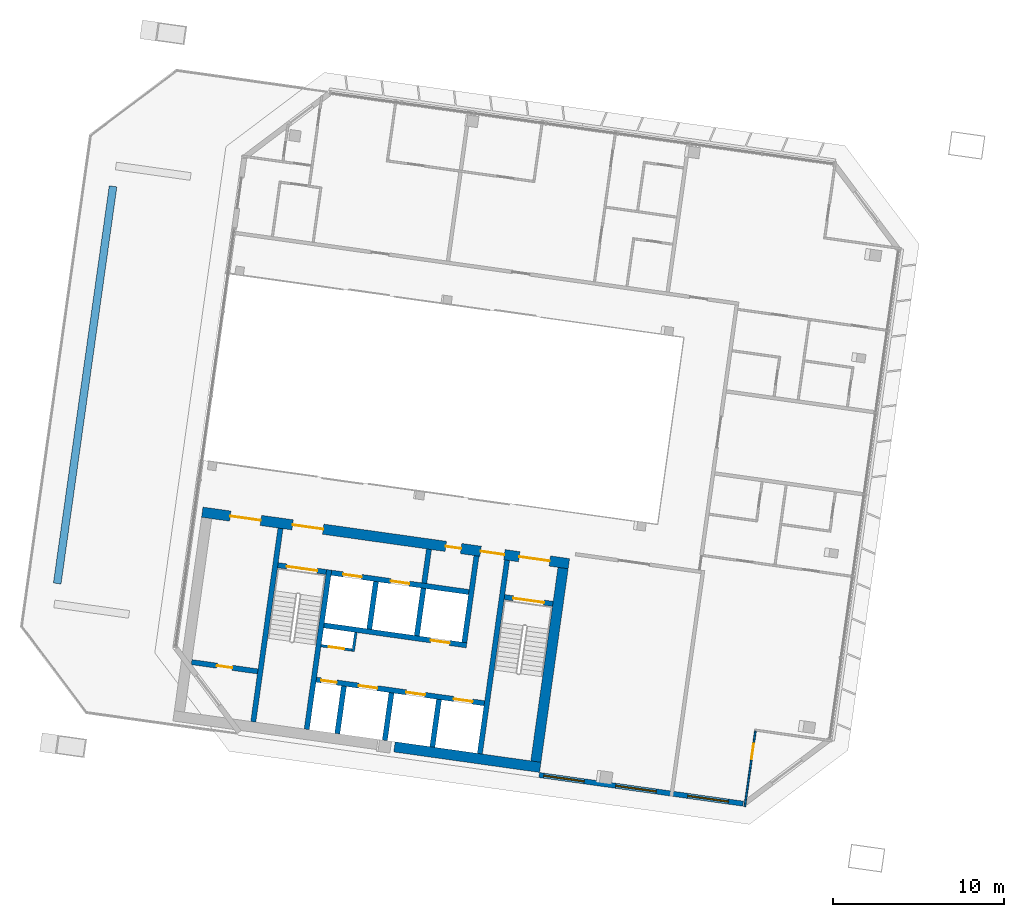
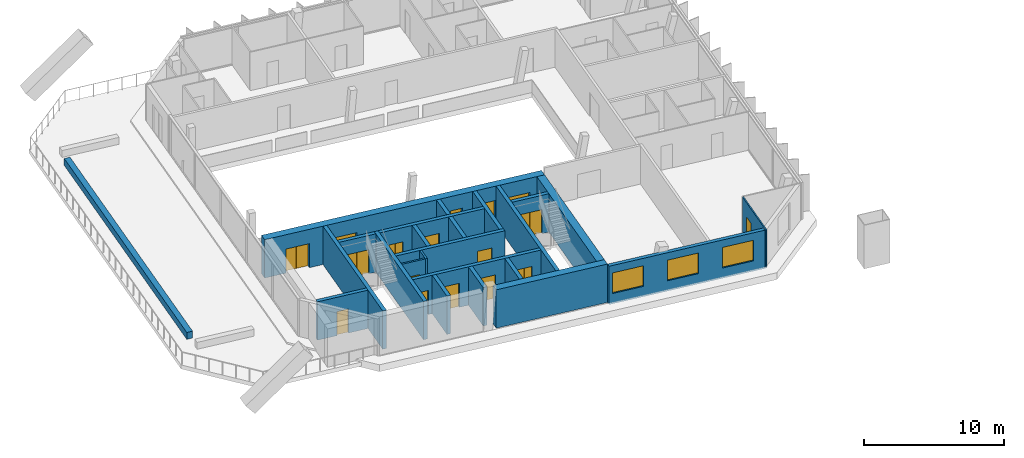
# One storey, part 9 of 17: 24 walls, 17 doors, 3 windows, 20 openings.
"""IFC4 building model written with IfcOpenShell, lengths in metres."""

from ifc_helpers import new_model, si_unit, direction, frame, frame_2d, origin, place, context, subcontext, project, spatial, rectangle, extrude, material, layer, layer_set, type_object, element, fill, save


model = new_model("IFC4")

# Units and contexts
model_context = context("Model", 3, precision=1e-05, world=origin(), true_north=direction((0.0, 1.0)))
body_context = subcontext(model_context, "Body", "Model", "MODEL_VIEW")
ifc_project = project(units=[si_unit("LENGTHUNIT", "METRE"), si_unit("AREAUNIT", "SQUARE_METRE"), si_unit("VOLUMEUNIT", "CUBIC_METRE"), si_unit("PLANEANGLEUNIT", "RADIAN"), si_unit("MASSUNIT", "GRAM", prefix="KILO")], contexts=[model_context])

# Site, building, storey
site_placement = place(None, origin())
site = spatial("IfcSite", under=ifc_project, at=site_placement, CompositionType="ELEMENT")
building_placement = place(site_placement, origin())
building = spatial("IfcBuilding", under=site, at=building_placement, Name="Mirante Cascada Hotel Towers", CompositionType="ELEMENT")
storey_placement = place(building_placement, frame((0.0, 0.0, 250.8)))
storey = spatial("IfcBuildingStorey", under=building, at=storey_placement, Name="L60", CompositionType="ELEMENT", Elevation=250.8)

# Wall
ifc_material_1 = material(Name="Masonry block", Category="masonry")
ifc_layer_1 = layer(ifc_material_1, 0.15)
ifc_layer_set_1 = layer_set([ifc_layer_1], Name="Core room partition 150 block EI 30")
wall_type_1 = type_object("IfcWallType", Name="Core room partition 150 block EI 30", PredefinedType="PARTITIONING", material=ifc_layer_set_1)
wall_1_placement = place(storey_placement, frame((-48.2295, -12.793, 0.0), z_axis=(0.0, 0.0, 1.0), x_axis=(0.1391935, 0.9902652, 0.0)))
element("IfcWall", 1, at=wall_1_placement, inside=storey, type_object=wall_type_1, Name="Core wall partition T1 L60 2", PredefinedType="PARTITIONING", context=body_context, shape_type="SweptSolid", body=[
    extrude(rectangle(XDim=1.1251, YDim=0.15, at=frame_2d((0.5626, 0.0))), origin(), (0.0, 0.0, 1.0), 3.35),
])

# Wall, opening, door
wall_2_placement = place(storey_placement, frame((-48.2933, -12.7083, 0.0), z_axis=(0.0, 0.0, 1.0), x_axis=(-0.990268, 0.1391734, 0.0)))
wall_2 = element("IfcWall", 2, at=wall_2_placement, inside=storey, type_object=wall_type_1, Name="Core wall partition T1 L60 3", PredefinedType="PARTITIONING", context=body_context, shape_type="SweptSolid", body=[
    extrude(rectangle(XDim=1.8251, YDim=0.15, at=frame_2d((0.9126, 0.0))), origin(), (0.0, 0.0, 1.0), 3.35),
])
opening_1_placement = place(wall_2_placement, frame((0.4625, 0.0, 0.0)))
opening_1 = element("IfcOpeningElement", 3, at=opening_1_placement, cuts=wall_2, Name="Opening D1-60-C14", PredefinedType="OPENING", context=body_context, shape_type="SweptSolid", body=[
    extrude(rectangle(XDim=0.9, YDim=2.1, at=frame_2d((0.45, 1.05))), frame((0.0, 0.075, 0.0), z_axis=(0.0, -1.0, 0.0), x_axis=(1.0, 0.0, 0.0)), (0.0, 0.0, 1.0), 0.15),
])
ifc_material_2 = material(Name="Hollow metal fire door leaf")
door_type_1 = type_object("IfcDoorType", Name="Fire door 900x2100 FD60", OperationType="NOTDEFINED", PredefinedType="DOOR", material=ifc_material_2)
door_1_placement = place(opening_1_placement, origin())
door_1 = element("IfcDoor", 4, at=door_1_placement, inside=storey, type_object=door_type_1, Name="Riser door T1 L60 14", OperationType="SINGLE_SWING_RIGHT", OverallHeight=2.1, OverallWidth=0.9, PredefinedType="DOOR", context=body_context, shape_type="SweptSolid", body=[
    extrude(rectangle(XDim=0.9, YDim=2.1, at=frame_2d((0.45, 1.05))), frame((0.0, 0.025, 0.0), z_axis=(0.0, -1.0, 0.0), x_axis=(1.0, 0.0, 0.0)), (0.0, 0.0, 1.0), 0.05),
])
fill(opening_1, door_1)

# Wall
ifc_material_3 = material(Name="Masonry block", Category="masonry")
ifc_layer_2 = layer(ifc_material_3, 0.3)
ifc_layer_set_2 = layer_set([ifc_layer_2], Name="Core wall 300 block EI 120")
wall_type_2 = type_object("IfcWallType", Name="Core wall 300 block EI 120", PredefinedType="PARTITIONING", material=ifc_layer_set_2)
wall_3_placement = place(storey_placement, frame((-44.0843, -8.8061, 0.0), z_axis=(0.0, 0.0, 1.0), x_axis=(0.1391951, 0.990265, 0.0)))
element("IfcWall", 5, at=wall_3_placement, inside=storey, type_object=wall_type_2, Name="Core wall partition T1 L60 1", PredefinedType="PARTITIONING", context=body_context, shape_type="SweptSolid", body=[
    extrude(rectangle(XDim=2.0001, YDim=0.3, at=frame_2d((1.0001, 0.0))), origin(), (0.0, 0.0, 1.0), 3.35),
])

# Wall, opening, door
wall_4_placement = place(storey_placement, frame((-53.7953, -13.9547, 0.0), z_axis=(0.0, 0.0, 1.0), x_axis=(-0.9902675, 0.1391774, 0.0)))
wall_4 = element("IfcWall", 6, at=wall_4_placement, inside=storey, type_object=wall_type_2, Name="Core wall partition T1 L60 4", PredefinedType="PARTITIONING", context=body_context, shape_type="SweptSolid", body=[
    extrude(rectangle(XDim=3.9001, YDim=0.3, at=frame_2d((1.95, 0.0))), origin(), (0.0, 0.0, 1.0), 3.35),
])
opening_2_placement = place(wall_4_placement, frame((1.5, 0.0, 0.0)))
opening_2 = element("IfcOpeningElement", 7, at=opening_2_placement, cuts=wall_4, Name="Opening D1-60-C16", PredefinedType="OPENING", context=body_context, shape_type="SweptSolid", body=[
    extrude(rectangle(XDim=0.9, YDim=2.1, at=frame_2d((0.45, 1.05))), frame((0.0, 0.15, 0.0), z_axis=(0.0, -1.0, 0.0), x_axis=(1.0, 0.0, 0.0)), (0.0, 0.0, 1.0), 0.3),
])
door_2_placement = place(opening_2_placement, origin())
door_2 = element("IfcDoor", 8, at=door_2_placement, inside=storey, type_object=door_type_1, Name="Room door T1 L60 16", OperationType="SINGLE_SWING_RIGHT", OverallHeight=2.1, OverallWidth=0.9, PredefinedType="DOOR", context=body_context, shape_type="SweptSolid", body=[
    extrude(rectangle(XDim=0.9, YDim=2.1, at=frame_2d((0.45, 1.05))), frame((0.0, 0.025, 0.0), z_axis=(0.0, -1.0, 0.0), x_axis=(1.0, 0.0, 0.0)), (0.0, 0.0, 1.0), 0.05),
])
fill(opening_2, door_2)

ifc_material_4 = material(Name="Plasterboard on metal studs")
ifc_layer_3 = layer(ifc_material_4, 0.1)
ifc_layer_set_3 = layer_set([ifc_layer_3], Name="Partition 100")
wall_type_3 = type_object("IfcWallType", Name="Partition 100", PredefinedType="PARTITIONING", material=ifc_layer_set_3)
wall_5_placement = place(storey_placement, frame((-25.3798, -21.8361, 0.0), z_axis=(0.0, 0.0, 1.0), x_axis=(0.1391684, 0.9902687, 0.0)))
wall_5 = element("IfcWall", 9, at=wall_5_placement, inside=storey, type_object=wall_type_3, Name="Wall 1-L60-21", PredefinedType="PARTITIONING", context=body_context, shape_type="SweptSolid", body=[
    extrude(rectangle(XDim=4.45, YDim=0.1, at=frame_2d((2.225, 0.0))), origin(), (0.0, 0.0, 1.0), 3.35),
])
opening_3_placement = place(wall_5_placement, frame((2.8, 0.0, 0.0)))
opening_3 = element("IfcOpeningElement", 10, at=opening_3_placement, cuts=wall_5, Name="Opening D1-L60-17", PredefinedType="OPENING", context=body_context, shape_type="SweptSolid", body=[
    extrude(rectangle(XDim=0.9, YDim=2.1, at=frame_2d((0.45, 1.05))), frame((0.0, 0.05, 0.0), z_axis=(0.0, -1.0, 0.0), x_axis=(1.0, 0.0, 0.0)), (0.0, 0.0, 1.0), 0.1),
])
ifc_material_5 = material(Name="Timber door leaf", Category="wood")
door_type_2 = type_object("IfcDoorType", Name="Room door DG3 900x2100", OperationType="SINGLE_SWING_LEFT", PredefinedType="DOOR", material=ifc_material_5)
door_3_placement = place(opening_3_placement, frame((0.9, 0.0, 0.0), z_axis=(0.0, 0.0, 1.0), x_axis=(-1.0, 0.0, 0.0)))
door_3 = element("IfcDoor", 11, at=door_3_placement, inside=storey, type_object=door_type_2, Name="Door D1-L60-17", OperationType="SINGLE_SWING_RIGHT", OverallHeight=2.1, OverallWidth=0.9, PredefinedType="DOOR", context=body_context, shape_type="SweptSolid", body=[
    extrude(rectangle(XDim=0.9, YDim=2.1, at=frame_2d((0.45, 1.05))), frame((0.0, 0.025, 0.0), z_axis=(0.0, -1.0, 0.0), x_axis=(1.0, 0.0, 0.0)), (0.0, 0.0, 1.0), 0.05),
])
fill(opening_3, door_3)

# Wall
ifc_material_6 = material(Name="Precast concrete C40/50", Category="concrete")
ifc_layer_4 = layer(ifc_material_6, 0.45)
ifc_layer_set_4 = layer_set([ifc_layer_4], Name="Planter wall 450 concrete C40/50")
wall_type_4 = type_object("IfcWallType", Name="Planter wall 450 concrete C40/50", PredefinedType="PARAPET", material=ifc_layer_set_4)
wall_6_placement = place(storey_placement, frame((-65.4955, -8.8264, 0.0), z_axis=(0.0, 0.0, 1.0), x_axis=(0.139175, 0.9902678, 0.0)))
element("IfcWall", 12, at=wall_6_placement, inside=storey, type_object=wall_type_4, Name="PLANTER T1 L60 bed 3", PredefinedType="PARAPET", context=body_context, shape_type="SweptSolid", body=[
    extrude(rectangle(XDim=23.4, YDim=0.45, at=frame_2d((11.7, 0.0))), origin(), (0.0, 0.0, 1.0), 0.6),
])

# Wall, openings, windows
ifc_material_7 = material(Name="Precast concrete C40/50", Category="concrete")
ifc_layer_5 = layer(ifc_material_7, 0.3)
ifc_layer_set_5 = layer_set([ifc_layer_5], Name="Precast concrete C40/50 cladding wall 300")
wall_type_5 = type_object("IfcWallType", Name="Precast concrete C40/50 cladding wall 300", PredefinedType="STANDARD", material=ifc_layer_set_5)
wall_7_placement = place(storey_placement, frame((-25.4818, -21.6702, 0.0), z_axis=(0.0, 0.0, 1.0), x_axis=(-0.9902683, 0.1391715, 0.0)))
wall_7 = element("IfcWall", 13, at=wall_7_placement, inside=storey, type_object=wall_type_5, Name="Rear cladding wall T1 L60 1", PredefinedType="STANDARD", context=body_context, shape_type="SweptSolid", body=[
    extrude(rectangle(XDim=12.0118, YDim=0.3, at=frame_2d((6.0059, 0.0))), origin(), (0.0, 0.0, 1.0), 3.35),
])
opening_4_placement = place(wall_7_placement, frame((0.8603, 0.0, 0.9)))
opening_4 = element("IfcOpeningElement", 14, at=opening_4_placement, cuts=wall_7, Name="Opening W1-60-01", PredefinedType="OPENING", context=body_context, shape_type="SweptSolid", body=[
    extrude(rectangle(XDim=2.4, YDim=1.8, at=frame_2d((1.2, 0.9))), frame((0.0, 0.15, 0.0), z_axis=(0.0, -1.0, 0.0), x_axis=(1.0, 0.0, 0.0)), (0.0, 0.0, 1.0), 0.3),
])
opening_5_placement = place(wall_7_placement, frame((5.1048, 0.0, 0.9)))
opening_5 = element("IfcOpeningElement", 15, at=opening_5_placement, cuts=wall_7, Name="Opening W1-60-02", PredefinedType="OPENING", context=body_context, shape_type="SweptSolid", body=[
    extrude(rectangle(XDim=2.4, YDim=1.8, at=frame_2d((1.2, 0.9))), frame((0.0, 0.15, 0.0), z_axis=(0.0, -1.0, 0.0), x_axis=(1.0, 0.0, 0.0)), (0.0, 0.0, 1.0), 0.3),
])
opening_6_placement = place(wall_7_placement, frame((9.3493, 0.0, 0.9)))
opening_6 = element("IfcOpeningElement", 16, at=opening_6_placement, cuts=wall_7, Name="Opening W1-60-03", PredefinedType="OPENING", context=body_context, shape_type="SweptSolid", body=[
    extrude(rectangle(XDim=2.4, YDim=1.8, at=frame_2d((1.2, 0.9))), frame((0.0, 0.15, 0.0), z_axis=(0.0, -1.0, 0.0), x_axis=(1.0, 0.0, 0.0)), (0.0, 0.0, 1.0), 0.3),
])
ifc_material_8 = material(Name="Aluminium frame with clear double glazing", Category="aluminium")
window_type = type_object("IfcWindowType", Name="Punched window 2400x1800", PartitioningType="DOUBLE_PANEL_VERTICAL", PredefinedType="WINDOW", material=ifc_material_8)
window_1_placement = place(opening_4_placement, origin())
window_1 = element("IfcWindow", 17, at=window_1_placement, inside=storey, type_object=window_type, Name="Window W1-60-01", OverallHeight=1.8, OverallWidth=2.4, PartitioningType="SINGLE_PANEL", PredefinedType="WINDOW", context=body_context, shape_type="SweptSolid", body=[
    extrude(rectangle(XDim=2.4, YDim=1.8, at=frame_2d((1.2, 0.9))), frame((0.0, 0.03, 0.0), z_axis=(0.0, -1.0, 0.0), x_axis=(1.0, 0.0, 0.0)), (0.0, 0.0, 1.0), 0.06),
])
fill(opening_4, window_1)
window_2_placement = place(opening_5_placement, origin())
window_2 = element("IfcWindow", 18, at=window_2_placement, inside=storey, type_object=window_type, Name="Window W1-60-02", OverallHeight=1.8, OverallWidth=2.4, PartitioningType="SINGLE_PANEL", PredefinedType="WINDOW", context=body_context, shape_type="SweptSolid", body=[
    extrude(rectangle(XDim=2.4, YDim=1.8, at=frame_2d((1.2, 0.9))), frame((0.0, 0.03, 0.0), z_axis=(0.0, -1.0, 0.0), x_axis=(1.0, 0.0, 0.0)), (0.0, 0.0, 1.0), 0.06),
])
fill(opening_5, window_2)
window_3_placement = place(opening_6_placement, origin())
window_3 = element("IfcWindow", 19, at=window_3_placement, inside=storey, type_object=window_type, Name="Window W1-60-03", OverallHeight=1.8, OverallWidth=2.4, PartitioningType="SINGLE_PANEL", PredefinedType="WINDOW", context=body_context, shape_type="SweptSolid", body=[
    extrude(rectangle(XDim=2.4, YDim=1.8, at=frame_2d((1.2, 0.9))), frame((0.0, 0.03, 0.0), z_axis=(0.0, -1.0, 0.0), x_axis=(1.0, 0.0, 0.0)), (0.0, 0.0, 1.0), 0.06),
])
fill(opening_6, window_3)

# Walls
ifc_material_9 = material(Name="Concrete C50/60", Category="concrete")
ifc_layer_6 = layer(ifc_material_9, 0.3)
ifc_layer_set_6 = layer_set([ifc_layer_6], Name="RC core wall 300 C50/60")
wall_type_6 = type_object("IfcWallType", Name="RC core wall 300 C50/60", PredefinedType="SHEAR", material=ifc_layer_set_6)
wall_8_placement = place(storey_placement, frame((-40.8373, -18.7548, 0.0), z_axis=(0.0, 0.0, 1.0), x_axis=(0.1391749, 0.9902678, 0.0)))
element("IfcWall", 20, at=wall_8_placement, inside=storey, type_object=wall_type_6, Name="Core wall T1:L60:5", PredefinedType="SHEAR", context=body_context, shape_type="SweptSolid", body=[
    extrude(rectangle(XDim=11.4, YDim=0.3, at=frame_2d((5.7, 0.0))), origin(), (0.0, 0.0, 1.0), 3.35),
])
wall_9_placement = place(storey_placement, frame((-50.938, -17.3352, 0.0), z_axis=(0.0, 0.0, 1.0), x_axis=(0.1391706, 0.9902684, 0.0)))
element("IfcWall", 21, at=wall_9_placement, inside=storey, type_object=wall_type_6, Name="Core wall T1:L60:6", PredefinedType="SHEAR", context=body_context, shape_type="SweptSolid", body=[
    extrude(rectangle(XDim=9.4, YDim=0.3, at=frame_2d((4.7, 0.0))), origin(), (0.0, 0.0, 1.0), 3.35),
])
wall_10_placement = place(storey_placement, frame((-54.0574, -16.8968, 0.0), z_axis=(0.0, 0.0, 1.0), x_axis=(0.1391761, 0.9902677, 0.0)))
element("IfcWall", 22, at=wall_10_placement, inside=storey, type_object=wall_type_6, Name="Core wall T1:L60:7", PredefinedType="SHEAR", context=body_context, shape_type="SweptSolid", body=[
    extrude(rectangle(XDim=11.3999, YDim=0.3, at=frame_2d((5.7, 0.0))), origin(), (0.0, 0.0, 1.0), 3.35),
])

# Wall, opening, door
wall_11_placement = place(storey_placement, frame((-36.5791, -10.0123, 0.0), z_axis=(0.0, 0.0, 1.0), x_axis=(-0.9902704, 0.1391564, 0.0)))
wall_11 = element("IfcWall", 23, at=wall_11_placement, inside=storey, type_object=wall_type_6, Name="Core wall T1:L60:8", PredefinedType="SHEAR", context=body_context, shape_type="SweptSolid", body=[
    extrude(rectangle(XDim=2.85, YDim=0.3, at=frame_2d((1.425, 0.0))), origin(), (0.0, 0.0, 1.0), 3.35),
])
opening_7_placement = place(wall_11_placement, frame((0.525, 0.0, 0.0)))
opening_7 = element("IfcOpeningElement", 24, at=opening_7_placement, cuts=wall_11, Name="Opening D1-60-C07", PredefinedType="OPENING", context=body_context, shape_type="SweptSolid", body=[
    extrude(rectangle(XDim=1.8, YDim=2.1, at=frame_2d((0.9, 1.05))), frame((0.0, 0.15, 0.0), z_axis=(0.0, -1.0, 0.0), x_axis=(1.0, 0.0, 0.0)), (0.0, 0.0, 1.0), 0.3),
])
ifc_material_10 = material(Name="Hollow metal fire door leaf")
door_type_3 = type_object("IfcDoorType", Name="Double fire door 1800x2100 FD60", OperationType="DOUBLE_DOOR_SINGLE_SWING", PredefinedType="DOOR", material=ifc_material_10)
door_4_placement = place(opening_7_placement, origin())
door_4 = element("IfcDoor", 25, at=door_4_placement, inside=storey, type_object=door_type_3, Name="Stair door T1 L60 7", OperationType="DOUBLE_DOOR_SINGLE_SWING", OverallHeight=2.1, OverallWidth=1.8, PredefinedType="DOOR", context=body_context, shape_type="SweptSolid", body=[
    extrude(rectangle(XDim=0.895, YDim=2.1, at=frame_2d((0.4475, 1.05))), frame((0.0, 0.025, 0.0), z_axis=(0.0, -1.0, 0.0), x_axis=(1.0, 0.0, 0.0)), (0.0, 0.0, 1.0), 0.05),
    extrude(rectangle(XDim=0.895, YDim=2.1, at=frame_2d((1.3525, 1.05))), frame((0.0, 0.025, 0.0), z_axis=(0.0, -1.0, 0.0), x_axis=(1.0, 0.0, 0.0)), (0.0, 0.0, 1.0), 0.05),
])
fill(opening_7, door_4)

wall_12_placement = place(storey_placement, frame((-49.7992, -8.1544, 0.0), z_axis=(0.0, 0.0, 1.0), x_axis=(-0.9902656, 0.1391909, 0.0)))
wall_12 = element("IfcWall", 26, at=wall_12_placement, inside=storey, type_object=wall_type_6, Name="Core wall T1:L60:9", PredefinedType="SHEAR", context=body_context, shape_type="SweptSolid", body=[
    extrude(rectangle(XDim=2.85, YDim=0.3, at=frame_2d((1.425, 0.0))), origin(), (0.0, 0.0, 1.0), 3.35),
])
opening_8_placement = place(wall_12_placement, frame((0.525, 0.0, 0.0)))
opening_8 = element("IfcOpeningElement", 27, at=opening_8_placement, cuts=wall_12, Name="Opening D1-60-C09", PredefinedType="OPENING", context=body_context, shape_type="SweptSolid", body=[
    extrude(rectangle(XDim=1.8, YDim=2.1, at=frame_2d((0.9, 1.05))), frame((0.0, 0.15, 0.0), z_axis=(0.0, -1.0, 0.0), x_axis=(1.0, 0.0, 0.0)), (0.0, 0.0, 1.0), 0.3),
])
door_5_placement = place(opening_8_placement, origin())
door_5 = element("IfcDoor", 28, at=door_5_placement, inside=storey, type_object=door_type_3, Name="Stair door T1 L60 9", OperationType="DOUBLE_DOOR_SINGLE_SWING", OverallHeight=2.1, OverallWidth=1.8, PredefinedType="DOOR", context=body_context, shape_type="SweptSolid", body=[
    extrude(rectangle(XDim=0.895, YDim=2.1, at=frame_2d((0.4475, 1.05))), frame((0.0, 0.025, 0.0), z_axis=(0.0, -1.0, 0.0), x_axis=(1.0, 0.0, 0.0)), (0.0, 0.0, 1.0), 0.05),
    extrude(rectangle(XDim=0.895, YDim=2.1, at=frame_2d((1.3525, 1.05))), frame((0.0, 0.025, 0.0), z_axis=(0.0, -1.0, 0.0), x_axis=(1.0, 0.0, 0.0)), (0.0, 0.0, 1.0), 0.05),
])
fill(opening_8, door_5)

# Wall, openings, doors
wall_13_placement = place(storey_placement, frame((-40.5753, -15.8126, 0.0), z_axis=(0.0, 0.0, 1.0), x_axis=(-0.9902682, 0.1391725, 0.0)))
wall_13 = element("IfcWall", 29, at=wall_13_placement, inside=storey, type_object=wall_type_6, Name="Core wall T1:L60:10", PredefinedType="SHEAR", context=body_context, shape_type="SweptSolid", body=[
    extrude(rectangle(XDim=9.8999, YDim=0.3, at=frame_2d((4.95, 0.0))), origin(), (0.0, 0.0, 1.0), 3.35),
])
opening_9_placement = place(wall_13_placement, frame((0.7, 0.0, 0.0)))
opening_9 = element("IfcOpeningElement", 30, at=opening_9_placement, cuts=wall_13, Name="Opening LD", PredefinedType="OPENING", context=body_context, shape_type="SweptSolid", body=[
    extrude(rectangle(XDim=1.1, YDim=2.1, at=frame_2d((0.55, 1.05))), frame((0.0, 0.15, 0.0), z_axis=(0.0, -1.0, 0.0), x_axis=(1.0, 0.0, 0.0)), (0.0, 0.0, 1.0), 0.3),
])
opening_10_placement = place(wall_13_placement, frame((3.5, 0.0, 0.0)))
opening_10 = element("IfcOpeningElement", 31, at=opening_10_placement, cuts=wall_13, Name="Opening LD", PredefinedType="OPENING", context=body_context, shape_type="SweptSolid", body=[
    extrude(rectangle(XDim=1.1, YDim=2.1, at=frame_2d((0.55, 1.05))), frame((0.0, 0.15, 0.0), z_axis=(0.0, -1.0, 0.0), x_axis=(1.0, 0.0, 0.0)), (0.0, 0.0, 1.0), 0.3),
])
opening_11_placement = place(wall_13_placement, frame((6.3, 0.0, 0.0)))
opening_11 = element("IfcOpeningElement", 32, at=opening_11_placement, cuts=wall_13, Name="Opening LD", PredefinedType="OPENING", context=body_context, shape_type="SweptSolid", body=[
    extrude(rectangle(XDim=1.1, YDim=2.1, at=frame_2d((0.55, 1.05))), frame((0.0, 0.15, 0.0), z_axis=(0.0, -1.0, 0.0), x_axis=(1.0, 0.0, 0.0)), (0.0, 0.0, 1.0), 0.3),
])
opening_12_placement = place(wall_13_placement, frame((8.7, 0.0, 0.0)))
opening_12 = element("IfcOpeningElement", 33, at=opening_12_placement, cuts=wall_13, Name="Opening D1-60-C13", PredefinedType="OPENING", context=body_context, shape_type="SweptSolid", body=[
    extrude(rectangle(XDim=0.9, YDim=2.1, at=frame_2d((0.45, 1.05))), frame((0.0, 0.15, 0.0), z_axis=(0.0, -1.0, 0.0), x_axis=(1.0, 0.0, 0.0)), (0.0, 0.0, 1.0), 0.3),
])
door_6_placement = place(opening_12_placement, origin())
door_6 = element("IfcDoor", 34, at=door_6_placement, inside=storey, type_object=door_type_1, Name="Riser door T1 L60 13", OperationType="SINGLE_SWING_LEFT", OverallHeight=2.1, OverallWidth=0.9, PredefinedType="DOOR", context=body_context, shape_type="SweptSolid", body=[
    extrude(rectangle(XDim=0.9, YDim=2.1, at=frame_2d((0.45, 1.05))), frame((0.0, 0.025, 0.0), z_axis=(0.0, -1.0, 0.0), x_axis=(1.0, 0.0, 0.0)), (0.0, 0.0, 1.0), 0.05),
])
fill(opening_12, door_6)
ifc_material_11 = material(Name="Stainless steel", Category="steel")
door_type_4 = type_object("IfcDoorType", Name="Lift landing door 1100x2100 EI 120", OperationType="DOUBLE_DOOR_SLIDING", PredefinedType="DOOR", material=ifc_material_11)
door_7_placement = place(opening_9_placement, origin())
door_7 = element("IfcDoor", 35, at=door_7_placement, inside=storey, type_object=door_type_4, Name="Lift landing door HR1-1 L60", OperationType="DOUBLE_DOOR_SLIDING", OverallHeight=2.1, OverallWidth=1.1, PredefinedType="DOOR", context=body_context, shape_type="SweptSolid", body=[
    extrude(rectangle(XDim=0.545, YDim=2.1, at=frame_2d((0.2725, 1.05))), frame((0.0, 0.025, 0.0), z_axis=(0.0, -1.0, 0.0), x_axis=(1.0, 0.0, 0.0)), (0.0, 0.0, 1.0), 0.05),
    extrude(rectangle(XDim=0.545, YDim=2.1, at=frame_2d((0.8275, 1.05))), frame((0.0, 0.025, 0.0), z_axis=(0.0, -1.0, 0.0), x_axis=(1.0, 0.0, 0.0)), (0.0, 0.0, 1.0), 0.05),
])
fill(opening_9, door_7)
door_8_placement = place(opening_10_placement, origin())
door_8 = element("IfcDoor", 36, at=door_8_placement, inside=storey, type_object=door_type_4, Name="Lift landing door HR1-2 L60", OperationType="DOUBLE_DOOR_SLIDING", OverallHeight=2.1, OverallWidth=1.1, PredefinedType="DOOR", context=body_context, shape_type="SweptSolid", body=[
    extrude(rectangle(XDim=0.545, YDim=2.1, at=frame_2d((0.2725, 1.05))), frame((0.0, 0.025, 0.0), z_axis=(0.0, -1.0, 0.0), x_axis=(1.0, 0.0, 0.0)), (0.0, 0.0, 1.0), 0.05),
    extrude(rectangle(XDim=0.545, YDim=2.1, at=frame_2d((0.8275, 1.05))), frame((0.0, 0.025, 0.0), z_axis=(0.0, -1.0, 0.0), x_axis=(1.0, 0.0, 0.0)), (0.0, 0.0, 1.0), 0.05),
])
fill(opening_10, door_8)
door_9_placement = place(opening_11_placement, origin())
door_9 = element("IfcDoor", 37, at=door_9_placement, inside=storey, type_object=door_type_4, Name="Lift landing door HR1-3 L60", OperationType="DOUBLE_DOOR_SLIDING", OverallHeight=2.1, OverallWidth=1.1, PredefinedType="DOOR", context=body_context, shape_type="SweptSolid", body=[
    extrude(rectangle(XDim=0.545, YDim=2.1, at=frame_2d((0.2725, 1.05))), frame((0.0, 0.025, 0.0), z_axis=(0.0, -1.0, 0.0), x_axis=(1.0, 0.0, 0.0)), (0.0, 0.0, 1.0), 0.05),
    extrude(rectangle(XDim=0.545, YDim=2.1, at=frame_2d((0.8275, 1.05))), frame((0.0, 0.025, 0.0), z_axis=(0.0, -1.0, 0.0), x_axis=(1.0, 0.0, 0.0)), (0.0, 0.0, 1.0), 0.05),
])
fill(opening_11, door_9)

# Wall, opening, door
wall_14_placement = place(storey_placement, frame((-41.6153, -12.435, 0.0), z_axis=(0.0, 0.0, 1.0), x_axis=(-0.9902691, 0.139166, 0.0)))
wall_14 = element("IfcWall", 38, at=wall_14_placement, inside=storey, type_object=wall_type_6, Name="Core wall T1:L60:11", PredefinedType="SHEAR", context=body_context, shape_type="SweptSolid", body=[
    extrude(rectangle(XDim=8.4, YDim=0.3, at=frame_2d((4.2, 0.0))), origin(), (0.0, 0.0, 1.0), 3.35),
])
opening_13_placement = place(wall_14_placement, frame((1.0, 0.0, 0.0)))
opening_13 = element("IfcOpeningElement", 39, at=opening_13_placement, cuts=wall_14, Name="Opening LD", PredefinedType="OPENING", context=body_context, shape_type="SweptSolid", body=[
    extrude(rectangle(XDim=1.1, YDim=2.1, at=frame_2d((0.55, 1.05))), frame((0.0, 0.15, 0.0), z_axis=(0.0, -1.0, 0.0), x_axis=(1.0, 0.0, 0.0)), (0.0, 0.0, 1.0), 0.3),
])
door_10_placement = place(opening_13_placement, origin())
door_10 = element("IfcDoor", 40, at=door_10_placement, inside=storey, type_object=door_type_4, Name="Lift landing door HR1-4 L60", OperationType="DOUBLE_DOOR_SLIDING", OverallHeight=2.1, OverallWidth=1.1, PredefinedType="DOOR", context=body_context, shape_type="SweptSolid", body=[
    extrude(rectangle(XDim=0.545, YDim=2.1, at=frame_2d((0.2725, 1.05))), frame((0.0, 0.025, 0.0), z_axis=(0.0, -1.0, 0.0), x_axis=(1.0, 0.0, 0.0)), (0.0, 0.0, 1.0), 0.05),
    extrude(rectangle(XDim=0.545, YDim=2.1, at=frame_2d((0.8275, 1.05))), frame((0.0, 0.025, 0.0), z_axis=(0.0, -1.0, 0.0), x_axis=(1.0, 0.0, 0.0)), (0.0, 0.0, 1.0), 0.05),
])
fill(opening_13, door_10)

# Wall, openings, doors
wall_15_placement = place(storey_placement, frame((-41.481, -9.3234, 0.0), z_axis=(0.0, 0.0, 1.0), x_axis=(-0.9902679, 0.1391741, 0.0)))
wall_15 = element("IfcWall", 41, at=wall_15_placement, inside=storey, type_object=wall_type_6, Name="Core wall T1:L60:12", PredefinedType="SHEAR", context=body_context, shape_type="SweptSolid", body=[
    extrude(rectangle(XDim=8.0999, YDim=0.3, at=frame_2d((4.05, 0.0))), origin(), (0.0, 0.0, 1.0), 3.35),
])
opening_14_placement = place(wall_15_placement, frame((3.5, 0.0, 0.0)))
opening_14 = element("IfcOpeningElement", 42, at=opening_14_placement, cuts=wall_15, Name="Opening LD", PredefinedType="OPENING", context=body_context, shape_type="SweptSolid", body=[
    extrude(rectangle(XDim=1.1, YDim=2.1, at=frame_2d((0.55, 1.05))), frame((0.0, 0.15, 0.0), z_axis=(0.0, -1.0, 0.0), x_axis=(1.0, 0.0, 0.0)), (0.0, 0.0, 1.0), 0.3),
])
opening_15_placement = place(wall_15_placement, frame((6.3, 0.0, 0.0)))
opening_15 = element("IfcOpeningElement", 43, at=opening_15_placement, cuts=wall_15, Name="Opening LD", PredefinedType="OPENING", context=body_context, shape_type="SweptSolid", body=[
    extrude(rectangle(XDim=1.1, YDim=2.1, at=frame_2d((0.55, 1.05))), frame((0.0, 0.15, 0.0), z_axis=(0.0, -1.0, 0.0), x_axis=(1.0, 0.0, 0.0)), (0.0, 0.0, 1.0), 0.3),
])
door_11_placement = place(opening_14_placement, origin())
door_11 = element("IfcDoor", 44, at=door_11_placement, inside=storey, type_object=door_type_4, Name="Lift landing door FF1 L60", OperationType="DOUBLE_DOOR_SLIDING", OverallHeight=2.1, OverallWidth=1.1, PredefinedType="DOOR", context=body_context, shape_type="SweptSolid", body=[
    extrude(rectangle(XDim=0.545, YDim=2.1, at=frame_2d((0.2725, 1.05))), frame((0.0, 0.025, 0.0), z_axis=(0.0, -1.0, 0.0), x_axis=(1.0, 0.0, 0.0)), (0.0, 0.0, 1.0), 0.05),
    extrude(rectangle(XDim=0.545, YDim=2.1, at=frame_2d((0.8275, 1.05))), frame((0.0, 0.025, 0.0), z_axis=(0.0, -1.0, 0.0), x_axis=(1.0, 0.0, 0.0)), (0.0, 0.0, 1.0), 0.05),
])
fill(opening_14, door_11)
door_12_placement = place(opening_15_placement, origin())
door_12 = element("IfcDoor", 45, at=door_12_placement, inside=storey, type_object=door_type_4, Name="Lift landing door FF2 L60", OperationType="DOUBLE_DOOR_SLIDING", OverallHeight=2.1, OverallWidth=1.1, PredefinedType="DOOR", context=body_context, shape_type="SweptSolid", body=[
    extrude(rectangle(XDim=0.545, YDim=2.1, at=frame_2d((0.2725, 1.05))), frame((0.0, 0.025, 0.0), z_axis=(0.0, -1.0, 0.0), x_axis=(1.0, 0.0, 0.0)), (0.0, 0.0, 1.0), 0.05),
    extrude(rectangle(XDim=0.545, YDim=2.1, at=frame_2d((0.8275, 1.05))), frame((0.0, 0.025, 0.0), z_axis=(0.0, -1.0, 0.0), x_axis=(1.0, 0.0, 0.0)), (0.0, 0.0, 1.0), 0.05),
])
fill(opening_15, door_12)

# Walls
wall_16_placement = place(storey_placement, frame((-43.61, -18.3651, 0.0), z_axis=(0.0, 0.0, 1.0), x_axis=(0.1391459, 0.9902719, 0.0)))
element("IfcWall", 46, at=wall_16_placement, inside=storey, type_object=wall_type_6, Name="Core wall T1:L60:13", PredefinedType="SHEAR", context=body_context, shape_type="SweptSolid", body=[
    extrude(rectangle(XDim=2.7999, YDim=0.3, at=frame_2d((1.4, 0.0))), origin(), (0.0, 0.0, 1.0), 3.35),
])
wall_17_placement = place(storey_placement, frame((-46.3828, -17.9754, 0.0), z_axis=(0.0, 0.0, 1.0), x_axis=(0.139181, 0.990267, 0.0)))
element("IfcWall", 47, at=wall_17_placement, inside=storey, type_object=wall_type_6, Name="Core wall T1:L60:14", PredefinedType="SHEAR", context=body_context, shape_type="SweptSolid", body=[
    extrude(rectangle(XDim=2.8, YDim=0.3, at=frame_2d((1.4, 0.0))), origin(), (0.0, 0.0, 1.0), 3.35),
])
wall_18_placement = place(storey_placement, frame((-49.1555, -17.5857, 0.0), z_axis=(0.0, 0.0, 1.0), x_axis=(0.1391459, 0.9902719, 0.0)))
element("IfcWall", 48, at=wall_18_placement, inside=storey, type_object=wall_type_6, Name="Core wall T1:L60:15", PredefinedType="SHEAR", context=body_context, shape_type="SweptSolid", body=[
    extrude(rectangle(XDim=2.7999, YDim=0.3, at=frame_2d((1.4, 0.0))), origin(), (0.0, 0.0, 1.0), 3.35),
])
for number, where, z_axis, x_axis, name in (
    (49, (-44.5157, -11.8759, 0.0), (0.0, 0.0, 1.0), (0.139181, 0.990267, 0.0), "Core wall T1:L60:16"),
    (50, (-47.2885, -11.4862, 0.0), (0.0, 0.0, 1.0), (0.139181, 0.990267, 0.0), "Core wall T1:L60:17"),
):
    element("IfcWall", number, at=place(storey_placement, frame(where, z_axis=z_axis, x_axis=x_axis)), inside=storey, type_object=wall_type_6, Name=name, PredefinedType="SHEAR", context=body_context, shape_type="SweptSolid", body=[
        extrude(rectangle(XDim=2.8, YDim=0.3, at=frame_2d((1.4, 0.0))), origin(), (0.0, 0.0, 1.0), 3.35),
    ])
wall_19_placement = place(storey_placement, frame((-41.743, -12.2656, 0.0), z_axis=(0.0, 0.0, 1.0), x_axis=(0.1391755, 0.9902677, 0.0)))
element("IfcWall", 51, at=wall_19_placement, inside=storey, type_object=wall_type_6, Name="Core wall T1:L60:18", PredefinedType="SHEAR", context=body_context, shape_type="SweptSolid", body=[
    extrude(rectangle(XDim=5.1, YDim=0.3, at=frame_2d((2.55, 0.0))), origin(), (0.0, 0.0, 1.0), 3.35),
])
ifc_material_12 = material(Name="Concrete C50/60", Category="concrete")
ifc_layer_7 = layer(ifc_material_12, 0.6)
ifc_layer_set_7 = layer_set([ifc_layer_7], Name="RC core wall 600 C50/60")
wall_type_7 = type_object("IfcWallType", Name="RC core wall 600 C50/60", PredefinedType="SHEAR", material=ifc_layer_set_7)
wall_20_placement = place(storey_placement, frame((-37.3141, -19.5529, 0.0), z_axis=(0.0, 0.0, 1.0), x_axis=(-0.9902686, 0.1391695, 0.0)))
element("IfcWall", 52, at=wall_20_placement, inside=storey, type_object=wall_type_7, Name="Core wall T1:L60:1.1", PredefinedType="SHEAR", context=body_context, shape_type="SweptSolid", body=[
    extrude(rectangle(XDim=8.5874, YDim=0.6, at=frame_2d((4.2937, 0.0))), origin(), (0.0, 0.0, 1.0), 3.35),
])

# Wall, openings, doors
wall_21_placement = place(storey_placement, frame((-35.644, -7.6697, 0.0), z_axis=(0.0, 0.0, 1.0), x_axis=(-0.9902677, 0.1391758, 0.0)))
wall_21 = element("IfcWall", 53, at=wall_21_placement, inside=storey, type_object=wall_type_7, Name="Core wall T1:L60:2", PredefinedType="SHEAR", context=body_context, shape_type="SweptSolid", body=[
    extrude(rectangle(XDim=21.6, YDim=0.6, at=frame_2d((10.8, 0.0))), origin(), (0.0, 0.0, 1.0), 3.35),
])
opening_16_placement = place(wall_21_placement, frame((1.125, 0.0, 0.0)))
opening_16 = element("IfcOpeningElement", 54, at=opening_16_placement, cuts=wall_21, Name="Opening D1-60-C08", PredefinedType="OPENING", context=body_context, shape_type="SweptSolid", body=[
    extrude(rectangle(XDim=1.8, YDim=2.1, at=frame_2d((0.9, 1.05))), frame((0.0, 0.3, 0.0), z_axis=(0.0, -1.0, 0.0), x_axis=(1.0, 0.0, 0.0)), (0.0, 0.0, 1.0), 0.6),
])
opening_17_placement = place(wall_21_placement, frame((14.475, 0.0, 0.0)))
opening_17 = element("IfcOpeningElement", 55, at=opening_17_placement, cuts=wall_21, Name="Opening D1-60-C10", PredefinedType="OPENING", context=body_context, shape_type="SweptSolid", body=[
    extrude(rectangle(XDim=1.8, YDim=2.1, at=frame_2d((0.9, 1.05))), frame((0.0, 0.3, 0.0), z_axis=(0.0, -1.0, 0.0), x_axis=(1.0, 0.0, 0.0)), (0.0, 0.0, 1.0), 0.6),
])
opening_18_placement = place(wall_21_placement, frame((3.8, 0.0, 0.0)))
opening_18 = element("IfcOpeningElement", 56, at=opening_18_placement, cuts=wall_21, Name="Opening D1-60-C11", PredefinedType="OPENING", context=body_context, shape_type="SweptSolid", body=[
    extrude(rectangle(XDim=1.4, YDim=2.1, at=frame_2d((0.7, 1.05))), frame((0.0, 0.3, 0.0), z_axis=(0.0, -1.0, 0.0), x_axis=(1.0, 0.0, 0.0)), (0.0, 0.0, 1.0), 0.6),
])
opening_19_placement = place(wall_21_placement, frame((18.15, 0.0, 0.0)))
opening_19 = element("IfcOpeningElement", 57, at=opening_19_placement, cuts=wall_21, Name="Opening D1-60-C12", PredefinedType="OPENING", context=body_context, shape_type="SweptSolid", body=[
    extrude(rectangle(XDim=1.8, YDim=2.1, at=frame_2d((0.9, 1.05))), frame((0.0, 0.3, 0.0), z_axis=(0.0, -1.0, 0.0), x_axis=(1.0, 0.0, 0.0)), (0.0, 0.0, 1.0), 0.6),
])
opening_20_placement = place(wall_21_placement, frame((6.35, 0.0, 0.0)))
opening_20 = element("IfcOpeningElement", 58, at=opening_20_placement, cuts=wall_21, Name="Opening D1-60-C15", PredefinedType="OPENING", context=body_context, shape_type="SweptSolid", body=[
    extrude(rectangle(XDim=0.9, YDim=2.1, at=frame_2d((0.45, 1.05))), frame((0.0, 0.3, 0.0), z_axis=(0.0, -1.0, 0.0), x_axis=(1.0, 0.0, 0.0)), (0.0, 0.0, 1.0), 0.6),
])
ifc_material_13 = material(Name="Hollow metal fire door leaf")
door_type_5 = type_object("IfcDoorType", Name="Double fire door 1400x2100 FD60", OperationType="DOUBLE_DOOR_SINGLE_SWING", PredefinedType="DOOR", material=ifc_material_13)
door_13_placement = place(opening_18_placement, frame((1.4, 0.0, 0.0), z_axis=(0.0, 0.0, 1.0), x_axis=(-1.0, 0.0, 0.0)))
door_13 = element("IfcDoor", 59, at=door_13_placement, inside=storey, type_object=door_type_5, Name="Exit door to gallery T1 L60 11", OperationType="DOUBLE_DOOR_SINGLE_SWING", OverallHeight=2.1, OverallWidth=1.4, PredefinedType="DOOR", context=body_context, shape_type="SweptSolid", body=[
    extrude(rectangle(XDim=0.695, YDim=2.1, at=frame_2d((0.3475, 1.05))), frame((0.0, 0.025, 0.0), z_axis=(0.0, -1.0, 0.0), x_axis=(1.0, 0.0, 0.0)), (0.0, 0.0, 1.0), 0.05),
    extrude(rectangle(XDim=0.695, YDim=2.1, at=frame_2d((1.0525, 1.05))), frame((0.0, 0.025, 0.0), z_axis=(0.0, -1.0, 0.0), x_axis=(1.0, 0.0, 0.0)), (0.0, 0.0, 1.0), 0.05),
])
fill(opening_18, door_13)
door_14_placement = place(opening_16_placement, origin())
door_14 = element("IfcDoor", 60, at=door_14_placement, inside=storey, type_object=door_type_3, Name="Exit door to gallery T1 L60 8", OperationType="DOUBLE_DOOR_SINGLE_SWING", OverallHeight=2.1, OverallWidth=1.8, PredefinedType="DOOR", context=body_context, shape_type="SweptSolid", body=[
    extrude(rectangle(XDim=0.895, YDim=2.1, at=frame_2d((0.4475, 1.05))), frame((0.0, 0.025, 0.0), z_axis=(0.0, -1.0, 0.0), x_axis=(1.0, 0.0, 0.0)), (0.0, 0.0, 1.0), 0.05),
    extrude(rectangle(XDim=0.895, YDim=2.1, at=frame_2d((1.3525, 1.05))), frame((0.0, 0.025, 0.0), z_axis=(0.0, -1.0, 0.0), x_axis=(1.0, 0.0, 0.0)), (0.0, 0.0, 1.0), 0.05),
])
fill(opening_16, door_14)
door_15_placement = place(opening_17_placement, origin())
door_15 = element("IfcDoor", 61, at=door_15_placement, inside=storey, type_object=door_type_3, Name="Exit door to gallery T1 L60 10", OperationType="DOUBLE_DOOR_SINGLE_SWING", OverallHeight=2.1, OverallWidth=1.8, PredefinedType="DOOR", context=body_context, shape_type="SweptSolid", body=[
    extrude(rectangle(XDim=0.895, YDim=2.1, at=frame_2d((0.4475, 1.05))), frame((0.0, 0.025, 0.0), z_axis=(0.0, -1.0, 0.0), x_axis=(1.0, 0.0, 0.0)), (0.0, 0.0, 1.0), 0.05),
    extrude(rectangle(XDim=0.895, YDim=2.1, at=frame_2d((1.3525, 1.05))), frame((0.0, 0.025, 0.0), z_axis=(0.0, -1.0, 0.0), x_axis=(1.0, 0.0, 0.0)), (0.0, 0.0, 1.0), 0.05),
])
fill(opening_17, door_15)
door_16_placement = place(opening_19_placement, frame((1.8, 0.0, 0.0), z_axis=(0.0, 0.0, 1.0), x_axis=(-1.0, 0.0, 0.0)))
door_16 = element("IfcDoor", 62, at=door_16_placement, inside=storey, type_object=door_type_3, Name="Exit door to gallery T1 L60 12", OperationType="DOUBLE_DOOR_SINGLE_SWING", OverallHeight=2.1, OverallWidth=1.8, PredefinedType="DOOR", context=body_context, shape_type="SweptSolid", body=[
    extrude(rectangle(XDim=0.895, YDim=2.1, at=frame_2d((0.4475, 1.05))), frame((0.0, 0.025, 0.0), z_axis=(0.0, -1.0, 0.0), x_axis=(1.0, 0.0, 0.0)), (0.0, 0.0, 1.0), 0.05),
    extrude(rectangle(XDim=0.895, YDim=2.1, at=frame_2d((1.3525, 1.05))), frame((0.0, 0.025, 0.0), z_axis=(0.0, -1.0, 0.0), x_axis=(1.0, 0.0, 0.0)), (0.0, 0.0, 1.0), 0.05),
])
fill(opening_19, door_16)
door_17_placement = place(opening_20_placement, origin())
door_17 = element("IfcDoor", 63, at=door_17_placement, inside=storey, type_object=door_type_1, Name="Room door T1 L60 15", OperationType="SINGLE_SWING_RIGHT", OverallHeight=2.1, OverallWidth=0.9, PredefinedType="DOOR", context=body_context, shape_type="SweptSolid", body=[
    extrude(rectangle(XDim=0.9, YDim=2.1, at=frame_2d((0.45, 1.05))), frame((0.0, 0.025, 0.0), z_axis=(0.0, -1.0, 0.0), x_axis=(1.0, 0.0, 0.0)), (0.0, 0.0, 1.0), 0.05),
])
fill(opening_20, door_17)

# Wall
wall_22_placement = place(storey_placement, frame((-37.5694, -19.2141, 0.0), z_axis=(0.0, 0.0, 1.0), x_axis=(0.1391749, 0.9902678, 0.0)))
element("IfcWall", 64, at=wall_22_placement, inside=storey, type_object=wall_type_7, Name="Core wall T1:L60:3", PredefinedType="SHEAR", context=body_context, shape_type="SweptSolid", body=[
    extrude(rectangle(XDim=11.4, YDim=0.6, at=frame_2d((5.7, 0.0))), origin(), (0.0, 0.0, 1.0), 3.35),
])

save(model, "model.ifc")
